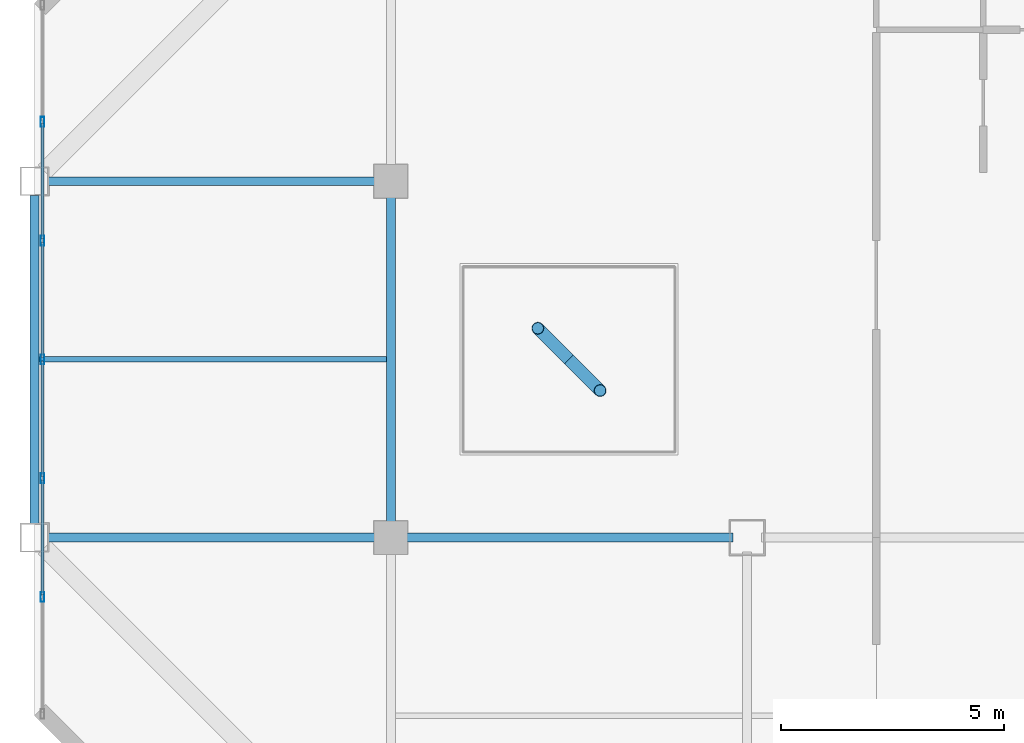
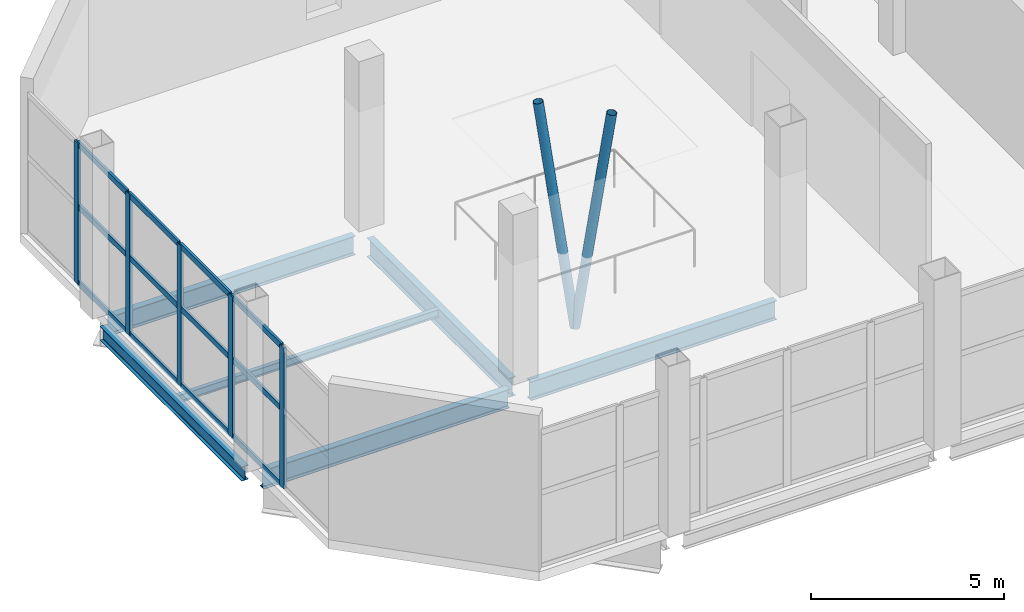
# One storey, part 5 of 16: 19 members, 6 beams, 1 element without a shape of its own.
"""IFC4 building model written with IfcOpenShell, lengths in metres."""

from ifc_helpers import new_model, si_unit, direction, frame, origin, origin_2d, place, context, subcontext, project, spatial, hollow_rectangle, hollow_circle, i_section, extrude, material, layer, layer_set, material_profile, profile_set, type_object, element, aggregate, save


model = new_model("IFC4")

# Units and contexts
model_context = context("Model", 3, precision=1e-05, world=origin(), true_north=direction((0.0, 1.0)))
body_context = subcontext(model_context, "Body", "Model", "MODEL_VIEW")
ifc_project = project(units=[si_unit("LENGTHUNIT", "METRE"), si_unit("AREAUNIT", "SQUARE_METRE"), si_unit("VOLUMEUNIT", "CUBIC_METRE"), si_unit("PLANEANGLEUNIT", "RADIAN"), si_unit("MASSUNIT", "GRAM", prefix="KILO")], contexts=[model_context])

# Site, building, storey
site_placement = place(None, origin())
site = spatial("IfcSite", under=ifc_project, at=site_placement, CompositionType="ELEMENT")
building_placement = place(site_placement, origin())
building = spatial("IfcBuilding", under=site, at=building_placement, Name="Qianrong Seaharbour Tower", CompositionType="ELEMENT")
storey_placement = place(building_placement, frame((0.0, 0.0, 378.39990234375)))
storey = spatial("IfcBuildingStorey", under=building, at=storey_placement, Name="L91", CompositionType="ELEMENT", Elevation=378.39990234375)

# Beams
ifc_material_1 = material(Name="Structural steel SN490B", Category="steel")
ifc_material_profile_1 = material_profile(ifc_material_1, i_section(OverallWidth=0.199951171875, OverallDepth=0.60009765625, WebThickness=0.010986328125, FlangeThickness=0.01708984375, FilletRadius=0.02197265625, at=origin_2d()), Name="H600x200x11x17")
ifc_profile_set_1 = profile_set([ifc_material_profile_1], Name="Structural steel SN490B")
beam_type_1 = type_object("IfcBeamType", Name="BM-G-600", PredefinedType="BEAM", material=ifc_profile_set_1)
for number, where, z_axis, x_axis, name in (
    (1, (16.820068359375, 36.0, -0.58984375), (1.0, 0.0, 0.0), (0.0, 1.0, 0.0), "L91 Primary Girder GF G3-G4"),
    (2, (24.820068359375, 36.0, -0.58984375), (1.0, 0.0, 0.0), (0.0, 1.0, 0.0), "L91 Primary Girder GF G4-G5"),
    (3, (16.820068359375, 44.0, -0.58984375), (1.0, 0.0, 0.0), (0.0, 1.0, 0.0), "L91 Primary Girder GG G3-G4"),
    (4, (24.5, 36.320068359375, -0.58984375), (0.0, 1.0, 0.0), (-1.0, 0.0, 0.0), "L91 Primary Girder G4 GF-GG"),
):
    element("IfcBeam", number, at=place(storey_placement, frame(where, z_axis=z_axis, x_axis=x_axis)), inside=storey, type_object=beam_type_1, Name=name, PredefinedType="BEAM", context=body_context, shape_type="SweptSolid", body=[
        extrude(i_section(OverallWidth=0.199951171875, OverallDepth=0.60009765625, WebThickness=0.010986328125, FlangeThickness=0.01708984375, FilletRadius=0.02197265625, at=origin_2d()), origin(), (0.0, 0.0, 1.0), 7.35986328125),
    ])
ifc_material_2 = material(Name="Structural steel SN400B", Category="steel")
ifc_material_profile_2 = material_profile(ifc_material_2, i_section(OverallWidth=0.125, OverallDepth=0.25, WebThickness=0.006103515625, FlangeThickness=0.009033203125, FilletRadius=0.011962890625, at=origin_2d()), Name="H250x125x6x9")
ifc_profile_set_2 = profile_set([ifc_material_profile_2], Name="Structural steel SN400B")
beam_type_2 = type_object("IfcBeamType", Name="BM-J-250", PredefinedType="JOIST", material=ifc_profile_set_2)
beam_1_placement = place(storey_placement, frame((16.60009765625, 40.0, -0.414794921875), z_axis=(1.0, 0.0, 0.0), x_axis=(0.0, 1.0, 0.0)))
element("IfcBeam", 5, at=beam_1_placement, inside=storey, type_object=beam_type_2, Name="L91 Composite Floor Joist G3-G4/GF-GG", PredefinedType="JOIST", context=body_context, shape_type="SweptSolid", body=[
    extrude(i_section(OverallWidth=0.125, OverallDepth=0.25, WebThickness=0.006103515625, FlangeThickness=0.009033203125, FilletRadius=0.011962890625, at=origin_2d()), origin(), (0.0, 0.0, 1.0), 7.7998046875),
])
ifc_material_profile_3 = material_profile(ifc_material_2, i_section(OverallWidth=0.199951171875, OverallDepth=0.449951171875, WebThickness=0.009033203125, FlangeThickness=0.013916015625, FilletRadius=0.01806640625, at=origin_2d()), Name="H450x200x9x14")
ifc_profile_set_3 = profile_set([ifc_material_profile_3], Name="Structural steel SN400B")
beam_type_3 = type_object("IfcBeamType", Name="BM-SP-450", PredefinedType="SPANDREL", material=ifc_profile_set_3)
beam_2_placement = place(storey_placement, frame((16.5, 36.320068359375, -0.514892578125), z_axis=(0.0, 1.0, 0.0), x_axis=(-1.0, 0.0, 0.0)))
element("IfcBeam", 6, at=beam_2_placement, inside=storey, type_object=beam_type_3, Name="L91 Spandrel Girder G3 GF-GG", PredefinedType="SPANDREL", context=body_context, shape_type="SweptSolid", body=[
    extrude(i_section(OverallWidth=0.199951171875, OverallDepth=0.449951171875, WebThickness=0.009033203125, FlangeThickness=0.013916015625, FilletRadius=0.01806640625, at=origin_2d()), origin(), (0.0, 0.0, 1.0), 7.35986328125),
])

# Curtain wall, members
ifc_material_3 = material(Name="Anodised aluminium 6063-T6 and laminated low-e glass", Category="aluminium")
ifc_layer = layer(ifc_material_3, 0.239990234375)
ifc_layer_set = layer_set([ifc_layer], Name="Anodised aluminium 6063-T6 and laminated low-e glass")
curtain_wall_type = type_object("IfcCurtainWallType", Name="CW-SYS-6", PredefinedType="NOTDEFINED", material=ifc_layer_set)
curtain_wall_placement = place(storey_placement, origin())
curtain_wall = element("IfcCurtainWall", 7, at=curtain_wall_placement, inside=storey, type_object=curtain_wall_type, Name="L91 TMD Exhibition Lantern Translucent Curtain Wall WEST_TIP", PredefinedType="NOTDEFINED")
ifc_material_4 = material(Name="Extruded aluminium 6063-T6", Category="aluminium")
ifc_material_profile_4 = material_profile(ifc_material_4, hollow_rectangle(XDim=0.080078125, YDim=0.219970703125, WallThickness=0.0048828125, at=origin_2d()), Name="ALU-MUL-220x80x5")
ifc_profile_set_4 = profile_set([ifc_material_profile_4], Name="Extruded aluminium 6063-T6")
member_type_1 = type_object("IfcMemberType", Name="CW-MUL-220", PredefinedType="MULLION", material=ifc_profile_set_4)
member_1_placement = place(storey_placement, frame((16.679931640625, 34.666748046875, 0.0), z_axis=(0.0, 0.0, 1.0), x_axis=(-1.0, 0.0, 0.0)))
member_1 = element("IfcMember", 8, at=member_1_placement, type_object=member_type_1, Name="CW-6 mullion 2", PredefinedType="MULLION", context=body_context, shape_type="SweptSolid", body=[
    extrude(hollow_rectangle(XDim=0.080078125, YDim=0.219970703125, WallThickness=0.0048828125, at=origin_2d()), origin(), (0.0, 0.0, 1.0), 4.460205078125),
])
member_2_placement = place(storey_placement, frame((16.679931640625, 37.333251953125, 0.0), z_axis=(0.0, 0.0, 1.0), x_axis=(-1.0, 0.0, 0.0)))
member_2 = element("IfcMember", 9, at=member_2_placement, type_object=member_type_1, Name="CW-6 mullion 3", PredefinedType="MULLION", context=body_context, shape_type="SweptSolid", body=[
    extrude(hollow_rectangle(XDim=0.080078125, YDim=0.219970703125, WallThickness=0.0048828125, at=origin_2d()), origin(), (0.0, 0.0, 1.0), 4.460205078125),
])
member_3_placement = place(storey_placement, frame((16.679931640625, 40.0, 0.0), z_axis=(0.0, 0.0, 1.0), x_axis=(-1.0, 0.0, 0.0)))
member_3 = element("IfcMember", 10, at=member_3_placement, type_object=member_type_1, Name="CW-6 mullion 4", PredefinedType="MULLION", context=body_context, shape_type="SweptSolid", body=[
    extrude(hollow_rectangle(XDim=0.080078125, YDim=0.219970703125, WallThickness=0.0048828125, at=origin_2d()), origin(), (0.0, 0.0, 1.0), 4.460205078125),
])
member_4_placement = place(storey_placement, frame((16.679931640625, 42.666748046875, 0.0), z_axis=(0.0, 0.0, 1.0), x_axis=(-1.0, 0.0, 0.0)))
member_4 = element("IfcMember", 11, at=member_4_placement, type_object=member_type_1, Name="CW-6 mullion 5", PredefinedType="MULLION", context=body_context, shape_type="SweptSolid", body=[
    extrude(hollow_rectangle(XDim=0.080078125, YDim=0.219970703125, WallThickness=0.0048828125, at=origin_2d()), origin(), (0.0, 0.0, 1.0), 4.460205078125),
])
member_5_placement = place(storey_placement, frame((16.679931640625, 45.333251953125, 0.0), z_axis=(0.0, 0.0, 1.0), x_axis=(-1.0, 0.0, 0.0)))
member_5 = element("IfcMember", 12, at=member_5_placement, type_object=member_type_1, Name="CW-6 mullion 6", PredefinedType="MULLION", context=body_context, shape_type="SweptSolid", body=[
    extrude(hollow_rectangle(XDim=0.080078125, YDim=0.219970703125, WallThickness=0.0048828125, at=origin_2d()), origin(), (0.0, 0.0, 1.0), 4.460205078125),
])
ifc_material_profile_5 = material_profile(ifc_material_4, hollow_rectangle(XDim=0.070068359375, YDim=0.179931640625, WallThickness=0.00390625, at=origin_2d()), Name="ALU-TRN-180x70x4")
ifc_profile_set_5 = profile_set([ifc_material_profile_5], Name="Extruded aluminium 6063-T6")
member_type_2 = type_object("IfcMemberType", Name="CW-TRN-180", PredefinedType="USERDEFINED", material=ifc_profile_set_5)
member_6_placement = place(storey_placement, frame((16.679931640625, 34.706787109375, 0.03515625), z_axis=(0.0, 1.0, 0.0), x_axis=(-1.0, 0.0, 0.0)))
member_6 = element("IfcMember", 13, at=member_6_placement, type_object=member_type_2, Name="CW-6 transom 2.1", ObjectType="TRANSOM", PredefinedType="USERDEFINED", context=body_context, shape_type="SweptSolid", body=[
    extrude(hollow_rectangle(XDim=0.070068359375, YDim=0.179931640625, WallThickness=0.00390625, at=origin_2d()), origin(), (0.0, 0.0, 1.0), 2.58642578125),
])
member_7_placement = place(storey_placement, frame((16.679931640625, 34.706787109375, 2.453125), z_axis=(0.0, 1.0, 0.0), x_axis=(-1.0, 0.0, 0.0)))
member_7 = element("IfcMember", 14, at=member_7_placement, type_object=member_type_2, Name="CW-6 transom 2.2", ObjectType="TRANSOM", PredefinedType="USERDEFINED", context=body_context, shape_type="SweptSolid", body=[
    extrude(hollow_rectangle(XDim=0.070068359375, YDim=0.179931640625, WallThickness=0.00390625, at=origin_2d()), origin(), (0.0, 0.0, 1.0), 2.58642578125),
])
member_8_placement = place(storey_placement, frame((16.679931640625, 34.706787109375, 4.425048828125), z_axis=(0.0, 1.0, 0.0), x_axis=(-1.0, 0.0, 0.0)))
member_8 = element("IfcMember", 15, at=member_8_placement, type_object=member_type_2, Name="CW-6 transom 2.3", ObjectType="TRANSOM", PredefinedType="USERDEFINED", context=body_context, shape_type="SweptSolid", body=[
    extrude(hollow_rectangle(XDim=0.070068359375, YDim=0.179931640625, WallThickness=0.00390625, at=origin_2d()), origin(), (0.0, 0.0, 1.0), 2.58642578125),
])
member_9_placement = place(storey_placement, frame((16.679931640625, 37.373291015625, 0.03515625), z_axis=(0.0, 1.0, 0.0), x_axis=(-1.0, 0.0, 0.0)))
member_9 = element("IfcMember", 16, at=member_9_placement, type_object=member_type_2, Name="CW-6 transom 3.1", ObjectType="TRANSOM", PredefinedType="USERDEFINED", context=body_context, shape_type="SweptSolid", body=[
    extrude(hollow_rectangle(XDim=0.070068359375, YDim=0.179931640625, WallThickness=0.00390625, at=origin_2d()), origin(), (0.0, 0.0, 1.0), 2.586669921875),
])
member_10_placement = place(storey_placement, frame((16.679931640625, 37.373291015625, 2.453125), z_axis=(0.0, 1.0, 0.0), x_axis=(-1.0, 0.0, 0.0)))
member_10 = element("IfcMember", 17, at=member_10_placement, type_object=member_type_2, Name="CW-6 transom 3.2", ObjectType="TRANSOM", PredefinedType="USERDEFINED", context=body_context, shape_type="SweptSolid", body=[
    extrude(hollow_rectangle(XDim=0.070068359375, YDim=0.179931640625, WallThickness=0.00390625, at=origin_2d()), origin(), (0.0, 0.0, 1.0), 2.586669921875),
])
member_11_placement = place(storey_placement, frame((16.679931640625, 37.373291015625, 4.425048828125), z_axis=(0.0, 1.0, 0.0), x_axis=(-1.0, 0.0, 0.0)))
member_11 = element("IfcMember", 18, at=member_11_placement, type_object=member_type_2, Name="CW-6 transom 3.3", ObjectType="TRANSOM", PredefinedType="USERDEFINED", context=body_context, shape_type="SweptSolid", body=[
    extrude(hollow_rectangle(XDim=0.070068359375, YDim=0.179931640625, WallThickness=0.00390625, at=origin_2d()), origin(), (0.0, 0.0, 1.0), 2.586669921875),
])
member_12_placement = place(storey_placement, frame((16.679931640625, 40.0400390625, 0.03515625), z_axis=(0.0, 1.0, 0.0), x_axis=(-1.0, 0.0, 0.0)))
member_12 = element("IfcMember", 19, at=member_12_placement, type_object=member_type_2, Name="CW-6 transom 4.1", ObjectType="TRANSOM", PredefinedType="USERDEFINED", context=body_context, shape_type="SweptSolid", body=[
    extrude(hollow_rectangle(XDim=0.070068359375, YDim=0.179931640625, WallThickness=0.00390625, at=origin_2d()), origin(), (0.0, 0.0, 1.0), 2.586669921875),
])
member_13_placement = place(storey_placement, frame((16.679931640625, 40.0400390625, 2.453125), z_axis=(0.0, 1.0, 0.0), x_axis=(-1.0, 0.0, 0.0)))
member_13 = element("IfcMember", 20, at=member_13_placement, type_object=member_type_2, Name="CW-6 transom 4.2", ObjectType="TRANSOM", PredefinedType="USERDEFINED", context=body_context, shape_type="SweptSolid", body=[
    extrude(hollow_rectangle(XDim=0.070068359375, YDim=0.179931640625, WallThickness=0.00390625, at=origin_2d()), origin(), (0.0, 0.0, 1.0), 2.586669921875),
])
member_14_placement = place(storey_placement, frame((16.679931640625, 40.0400390625, 4.425048828125), z_axis=(0.0, 1.0, 0.0), x_axis=(-1.0, 0.0, 0.0)))
member_14 = element("IfcMember", 21, at=member_14_placement, type_object=member_type_2, Name="CW-6 transom 4.3", ObjectType="TRANSOM", PredefinedType="USERDEFINED", context=body_context, shape_type="SweptSolid", body=[
    extrude(hollow_rectangle(XDim=0.070068359375, YDim=0.179931640625, WallThickness=0.00390625, at=origin_2d()), origin(), (0.0, 0.0, 1.0), 2.586669921875),
])
member_15_placement = place(storey_placement, frame((16.679931640625, 42.706787109375, 0.03515625), z_axis=(0.0, 1.0, 0.0), x_axis=(-1.0, 0.0, 0.0)))
member_15 = element("IfcMember", 22, at=member_15_placement, type_object=member_type_2, Name="CW-6 transom 5.1", ObjectType="TRANSOM", PredefinedType="USERDEFINED", context=body_context, shape_type="SweptSolid", body=[
    extrude(hollow_rectangle(XDim=0.070068359375, YDim=0.179931640625, WallThickness=0.00390625, at=origin_2d()), origin(), (0.0, 0.0, 1.0), 2.58642578125),
])
member_16_placement = place(storey_placement, frame((16.679931640625, 42.706787109375, 2.453125), z_axis=(0.0, 1.0, 0.0), x_axis=(-1.0, 0.0, 0.0)))
member_16 = element("IfcMember", 23, at=member_16_placement, type_object=member_type_2, Name="CW-6 transom 5.2", ObjectType="TRANSOM", PredefinedType="USERDEFINED", context=body_context, shape_type="SweptSolid", body=[
    extrude(hollow_rectangle(XDim=0.070068359375, YDim=0.179931640625, WallThickness=0.00390625, at=origin_2d()), origin(), (0.0, 0.0, 1.0), 2.58642578125),
])
member_17_placement = place(storey_placement, frame((16.679931640625, 42.706787109375, 4.425048828125), z_axis=(0.0, 1.0, 0.0), x_axis=(-1.0, 0.0, 0.0)))
member_17 = element("IfcMember", 24, at=member_17_placement, type_object=member_type_2, Name="CW-6 transom 5.3", ObjectType="TRANSOM", PredefinedType="USERDEFINED", context=body_context, shape_type="SweptSolid", body=[
    extrude(hollow_rectangle(XDim=0.070068359375, YDim=0.179931640625, WallThickness=0.00390625, at=origin_2d()), origin(), (0.0, 0.0, 1.0), 2.58642578125),
])
aggregate(curtain_wall, [member_1, member_2, member_3, member_4, member_5, member_6, member_7, member_8, member_9, member_10, member_11, member_12, member_13, member_14, member_15, member_16, member_17])

# Members
ifc_material_5 = material(Name="Stainless steel SUS316L", Category="steel")
ifc_material_profile_6 = material_profile(ifc_material_5, hollow_circle(Radius=0.136474609375, WallThickness=0.010009765625, at=origin_2d()), Name="CHS273.0x10")
ifc_profile_set_6 = profile_set([ifc_material_profile_6], Name="Stainless steel SUS316L")
member_type_3 = type_object("IfcMemberType", Name="MEM-SPIRE-STRUT", PredefinedType="STRUT", material=ifc_profile_set_6)
for number, where, z_axis, x_axis, name in (
    (25, (27.800048828125, 40.699951171875, 4.650146484375), (0.099706844636, -0.099706844636, -0.99000863141), (0.707106781187, 0.707106781187, 0.0), "Tuned Mass Damper Suspension Hanger Rod TMD-HW"),
    (26, (29.199951171875, 39.300048828125, 4.650146484375), (-0.099706844636, 0.099706844636, -0.99000863141), (-0.707106781187, -0.707106781187, 0.0), "Tuned Mass Damper Suspension Hanger Rod TMD-HE"),
):
    element("IfcMember", number, at=place(storey_placement, frame(where, z_axis=z_axis, x_axis=x_axis)), inside=storey, type_object=member_type_3, Name=name, PredefinedType="STRUT", context=body_context, shape_type="SweptSolid", body=[
        extrude(hollow_circle(Radius=0.136474609375, WallThickness=0.010009765625, at=origin_2d()), origin(), (0.0, 0.0, 1.0), 7.02001953125),
    ])

save(model, "model.ifc")
